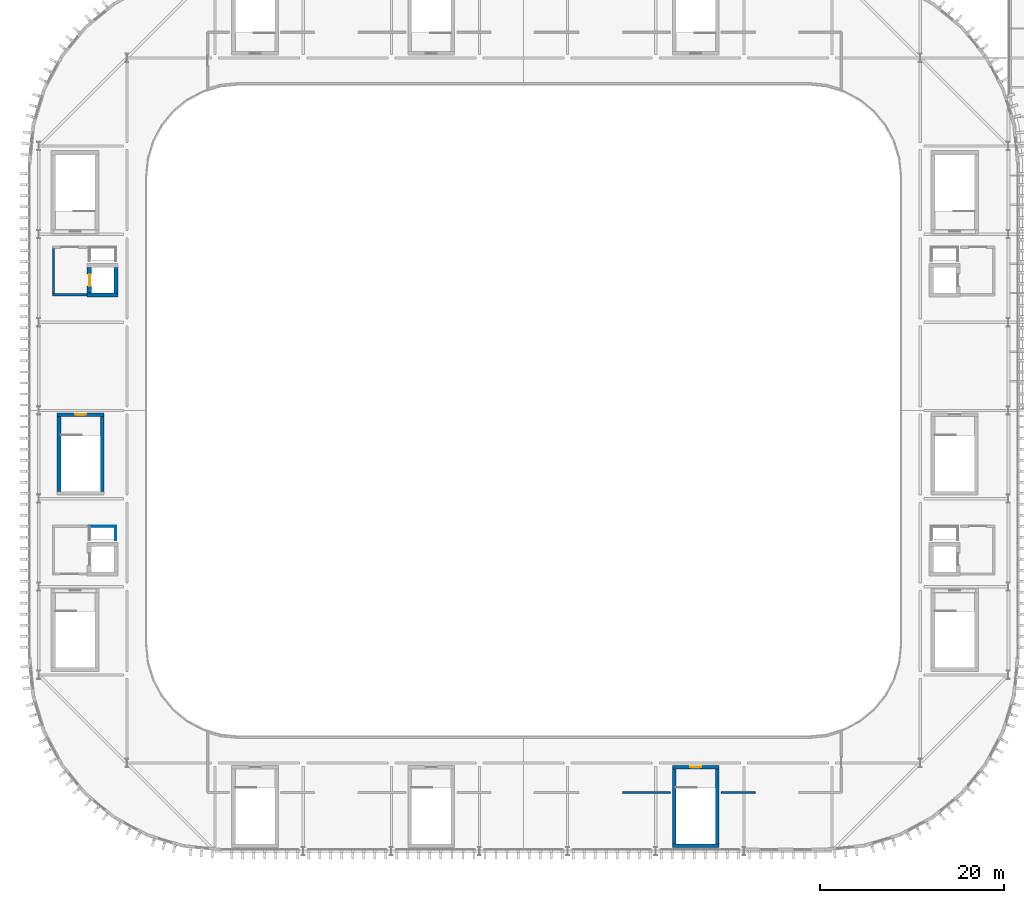
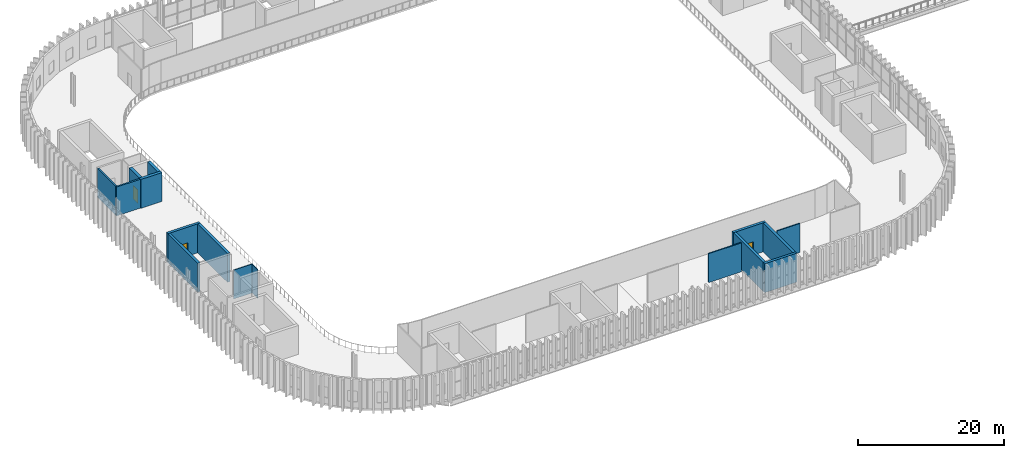
# One storey, part 31 of 45: 16 walls, 3 doors, 3 openings.
"""IFC4 building model written with IfcOpenShell, lengths in metres."""

from ifc_helpers import new_model, si_unit, direction, frame, frame_2d, origin, place, context, subcontext, project, spatial, rectangle, extrude, material, layer, layer_set, type_object, element, fill, save


model = new_model("IFC4")

# Units and contexts
model_context = context("Model", 3, precision=1e-05, world=origin(), true_north=direction((0.0, 1.0)))
body_context = subcontext(model_context, "Body", "Model", "MODEL_VIEW")
ifc_project = project(units=[si_unit("LENGTHUNIT", "METRE"), si_unit("AREAUNIT", "SQUARE_METRE"), si_unit("VOLUMEUNIT", "CUBIC_METRE"), si_unit("PLANEANGLEUNIT", "RADIAN"), si_unit("MASSUNIT", "GRAM", prefix="KILO")], contexts=[model_context])

# Site, building, storey
site_placement = place(None, origin())
site = spatial("IfcSite", under=ifc_project, at=site_placement, CompositionType="ELEMENT")
building_placement = place(site_placement, origin())
building = spatial("IfcBuilding", under=site, at=building_placement, Name="Caelomonte Colonnade Arena", CompositionType="ELEMENT")
storey_placement = place(building_placement, frame((0.0, 0.0, 23.10009765625)))
storey = spatial("IfcBuildingStorey", under=building, at=storey_placement, Name="L05", CompositionType="ELEMENT", Elevation=23.10009765625)

# Walls
ifc_material_1 = material(Name="Concrete C40/50", Category="concrete")
ifc_layer_1 = layer(ifc_material_1, 0.260009765625)
ifc_layer_set_1 = layer_set([ifc_layer_1], Name="Concrete C40/50")
wall_type_1 = type_object("IfcWallType", Name="INT-WL-FW26", PredefinedType="SOLIDWALL", material=ifc_layer_set_1)
wall_1_placement = place(storey_placement, frame((59.070068359375, 79.800048828125, 0.0), z_axis=(0.0, 0.0, 1.0), x_axis=(1.0, 0.0, 0.0)))
element("IfcWall", 1, at=wall_1_placement, inside=storey, type_object=wall_type_1, Name="FW-C4-LB L05 south enclosure wall", PredefinedType="SOLIDWALL", context=body_context, shape_type="SweptSolid", body=[
    extrude(rectangle(XDim=3.760009765625, YDim=0.260009765625, at=frame_2d((1.8798828125, 0.0))), origin(), (0.0, 0.0, 1.0), 4.81982421875),
])
wall_2_placement = place(storey_placement, frame((59.199951171875, 84.8701171875, 0.0), z_axis=(0.0, 0.0, 1.0), x_axis=(0.0, -1.0, 0.0)))
element("IfcWall", 2, at=wall_2_placement, inside=storey, type_object=wall_type_1, Name="FW-C4-LB L05 west enclosure wall", PredefinedType="SOLIDWALL", context=body_context, shape_type="SweptSolid", body=[
    extrude(rectangle(XDim=4.940185546875, YDim=0.260009765625, at=frame_2d((2.47021484375, 0.0))), origin(), (0.0, 0.0, 1.0), 4.81982421875),
])
ifc_material_2 = material(Name="Service shaft lining partition")
ifc_layer_2 = layer(ifc_material_2, 0.10009765625)
ifc_layer_set_2 = layer_set([ifc_layer_2], Name="Service shaft lining partition")
wall_type_2 = type_object("IfcWallType", Name="INT-WL-PT10", PredefinedType="PARTITIONING", material=ifc_layer_set_2)
wall_3_placement = place(storey_placement, frame((66.050048828125, 54.60009765625, 0.0), z_axis=(0.0, 0.0, 1.0), x_axis=(-1.0, 0.0, 0.0)))
element("IfcWall", 3, at=wall_3_placement, inside=storey, type_object=wall_type_2, Name="FW-C1-RS L05 north enclosure wall", PredefinedType="PARTITIONING", context=body_context, shape_type="SweptSolid", body=[
    extrude(rectangle(XDim=3.0, YDim=0.10009765625, at=frame_2d((1.5, 0.0))), origin(), (0.0, 0.0, 1.0), 4.81982421875),
])
wall_4_placement = place(storey_placement, frame((66.0, 53.050048828125, 0.0), z_axis=(0.0, 0.0, 1.0), x_axis=(0.0, 1.0, 0.0)))
element("IfcWall", 4, at=wall_4_placement, inside=storey, type_object=wall_type_2, Name="FW-C1-RS L05 east enclosure wall", PredefinedType="PARTITIONING", context=body_context, shape_type="SweptSolid", body=[
    extrude(rectangle(XDim=1.5, YDim=0.10009765625, at=frame_2d((0.75, 0.0))), origin(), (0.0, 0.0, 1.0), 4.81982421875),
])
ifc_material_3 = material(Name="Acoustic gypsum stud partition")
ifc_layer_3 = layer(ifc_material_3, 0.179931640625)
ifc_layer_set_3 = layer_set([ifc_layer_3], Name="Acoustic gypsum stud partition")
wall_type_3 = type_object("IfcWallType", Name="INT-WL-PT18", PredefinedType="PARTITIONING", material=ifc_layer_set_3)
wall_5_placement = place(storey_placement, frame((135.6201171875, 25.60009765625, 0.0), z_axis=(0.0, 0.0, 1.0), x_axis=(-1.0, 0.0, 0.0)))
element("IfcWall", 5, at=wall_5_placement, inside=storey, type_object=wall_type_3, Name="L05 Broadcast Commentary Booths partition 261", PredefinedType="PARTITIONING", context=body_context, shape_type="SweptSolid", body=[
    extrude(rectangle(XDim=3.670166015625, YDim=0.179931640625, at=frame_2d((1.8349609375, 0.0))), origin(), (0.0, 0.0, 1.0), 4.81982421875),
])
wall_6_placement = place(storey_placement, frame((126.35009765625, 25.60009765625, 0.0), z_axis=(0.0, 0.0, 1.0), x_axis=(-1.0, 0.0, 0.0)))
element("IfcWall", 6, at=wall_6_placement, inside=storey, type_object=wall_type_3, Name="L05 Broadcast Commentary Booths partition 262", PredefinedType="PARTITIONING", context=body_context, shape_type="SweptSolid", body=[
    extrude(rectangle(XDim=5.170166015625, YDim=0.179931640625, at=frame_2d((2.5849609375, 0.0))), origin(), (0.0, 0.0, 1.0), 4.81982421875),
])

# Wall, opening, door
ifc_material_4 = material(Name="Concrete C50/60", Category="concrete")
ifc_layer_4 = layer(ifc_material_4, 0.39990234375)
ifc_layer_set_4 = layer_set([ifc_layer_4], Name="Concrete C50/60")
wall_type_4 = type_object("IfcWallType", Name="INT-WL-SH40", PredefinedType="SHEAR", material=ifc_layer_set_4)
wall_7_placement = place(storey_placement, frame((64.699951171875, 66.75, 0.0), z_axis=(0.0, 0.0, 1.0), x_axis=(-1.0, 0.0, 0.0)))
wall_7 = element("IfcWall", 7, at=wall_7_placement, inside=storey, type_object=wall_type_4, Name="CW-ST-09 L05 north enclosure wall", PredefinedType="SHEAR", context=body_context, shape_type="SweptSolid", body=[
    extrude(rectangle(XDim=5.099853515625, YDim=0.39990234375, at=frame_2d((2.5498046875, 0.0))), origin(), (0.0, 0.0, 1.0), 4.81982421875),
])
opening_1_placement = place(wall_7_placement, frame((3.14990234375, 0.0, 0.0), z_axis=(0.0, 0.0, 1.0), x_axis=(-1.0, 0.0, 0.0)))
opening_1 = element("IfcOpeningElement", 8, at=opening_1_placement, cuts=wall_7, Name="Opening FD-1", PredefinedType="OPENING", context=body_context, shape_type="SweptSolid", body=[
    extrude(rectangle(XDim=1.199951171875, YDim=2.199951171875, at=frame_2d((0.60009765625, 1.10009765625))), frame((0.0, 0.2099609375, 0.0), z_axis=(0.0, -1.0, 0.0), x_axis=(1.0, 0.0, 0.0)), (0.0, 0.0, 1.0), 0.419921875),
])
ifc_material_5 = material(Name="Fire-rated steel door", Category="steel")
door_type_1 = type_object("IfcDoorType", Name="INT-DR-FD90A", OperationType="NOTDEFINED", PredefinedType="DOOR", material=ifc_material_5)
door_1_placement = place(opening_1_placement, origin())
door_1 = element("IfcDoor", 9, at=door_1_placement, inside=storey, type_object=door_type_1, Name="Protected exit stair ST-09 L05 fire door", OperationType="SINGLE_SWING_RIGHT", OverallHeight=2.199951171875, OverallWidth=1.199951171875, PredefinedType="DOOR", context=body_context, shape_type="SweptSolid", body=[
    extrude(rectangle(XDim=1.199951171875, YDim=2.199951171875, at=frame_2d((0.60009765625, 1.10009765625))), frame((0.0, 0.02490234375, 0.0), z_axis=(0.0, -1.0, 0.0), x_axis=(1.0, 0.0, 0.0)), (0.0, 0.0, 1.0), 0.050048828125),
])
fill(opening_1, door_1)

# Walls
for number, where, z_axis, x_axis, name in (
    (10, (59.800048828125, 66.550048828125, 0.0), (0.0, 0.0, 1.0), (0.0, -1.0, 0.0), "CW-ST-09 L05 west enclosure wall"),
    (11, (64.5, 58.39990234375, 0.0), (0.0, 0.0, 1.0), (0.0, 1.0, 0.0), "CW-ST-09 L05 east enclosure wall"),
):
    element("IfcWall", number, at=place(storey_placement, frame(where, z_axis=z_axis, x_axis=x_axis)), inside=storey, type_object=wall_type_4, Name=name, PredefinedType="SHEAR", context=body_context, shape_type="SweptSolid", body=[
        extrude(rectangle(XDim=8.150146484375, YDim=0.39990234375, at=frame_2d((4.0751953125, 0.0))), origin(), (0.0, 0.0, 1.0), 4.81982421875),
    ])
wall_8_placement = place(storey_placement, frame((126.60009765625, 19.800048828125, 0.0), z_axis=(0.0, 0.0, 1.0), x_axis=(1.0, 0.0, 0.0)))
element("IfcWall", 12, at=wall_8_placement, inside=storey, type_object=wall_type_4, Name="CW-ST-13 L05 south enclosure wall", PredefinedType="SHEAR", context=body_context, shape_type="SweptSolid", body=[
    extrude(rectangle(XDim=5.099853515625, YDim=0.39990234375, at=frame_2d((2.5498046875, 0.0))), origin(), (0.0, 0.0, 1.0), 4.81982421875),
])

# Wall, opening, door
wall_9_placement = place(storey_placement, frame((131.699951171875, 28.35009765625, 0.0), z_axis=(0.0, 0.0, 1.0), x_axis=(-1.0, 0.0, 0.0)))
wall_9 = element("IfcWall", 13, at=wall_9_placement, inside=storey, type_object=wall_type_4, Name="CW-ST-13 L05 north enclosure wall", PredefinedType="SHEAR", context=body_context, shape_type="SweptSolid", body=[
    extrude(rectangle(XDim=5.099853515625, YDim=0.39990234375, at=frame_2d((2.5498046875, 0.0))), origin(), (0.0, 0.0, 1.0), 4.81982421875),
])
opening_2_placement = place(wall_9_placement, frame((3.14990234375, 0.0, 0.0), z_axis=(0.0, 0.0, 1.0), x_axis=(-1.0, 0.0, 0.0)))
opening_2 = element("IfcOpeningElement", 14, at=opening_2_placement, cuts=wall_9, Name="Opening FD-1", PredefinedType="OPENING", context=body_context, shape_type="SweptSolid", body=[
    extrude(rectangle(XDim=1.199951171875, YDim=2.199951171875, at=frame_2d((0.60009765625, 1.10009765625))), frame((0.0, 0.2099609375, 0.0), z_axis=(0.0, -1.0, 0.0), x_axis=(1.0, 0.0, 0.0)), (0.0, 0.0, 1.0), 0.419921875),
])
door_2_placement = place(opening_2_placement, origin())
door_2 = element("IfcDoor", 15, at=door_2_placement, inside=storey, type_object=door_type_1, Name="Protected exit stair ST-13 L05 fire door", OperationType="SINGLE_SWING_RIGHT", OverallHeight=2.199951171875, OverallWidth=1.199951171875, PredefinedType="DOOR", context=body_context, shape_type="SweptSolid", body=[
    extrude(rectangle(XDim=1.199951171875, YDim=2.199951171875, at=frame_2d((0.60009765625, 1.10009765625))), frame((0.0, 0.02490234375, 0.0), z_axis=(0.0, -1.0, 0.0), x_axis=(1.0, 0.0, 0.0)), (0.0, 0.0, 1.0), 0.050048828125),
])
fill(opening_2, door_2)

# Walls
for number, where, z_axis, x_axis, name in (
    (16, (126.800048828125, 28.14990234375, 0.0), (0.0, 0.0, 1.0), (0.0, -1.0, 0.0), "CW-ST-13 L05 west enclosure wall"),
    (17, (131.5, 20.0, 0.0), (0.0, 0.0, 1.0), (0.0, 1.0, 0.0), "CW-ST-13 L05 east enclosure wall"),
):
    element("IfcWall", number, at=place(storey_placement, frame(where, z_axis=z_axis, x_axis=x_axis)), inside=storey, type_object=wall_type_4, Name=name, PredefinedType="SHEAR", context=body_context, shape_type="SweptSolid", body=[
        extrude(rectangle(XDim=8.14990234375, YDim=0.39990234375, at=frame_2d((4.074951171875, 0.0))), origin(), (0.0, 0.0, 1.0), 4.81982421875),
    ])
ifc_layer_5 = layer(ifc_material_4, 0.449951171875)
ifc_layer_set_5 = layer_set([ifc_layer_5], Name="Concrete C50/60")
wall_type_5 = type_object("IfcWallType", Name="INT-WL-SH45", PredefinedType="SHEAR", material=ifc_layer_set_5)
wall_10_placement = place(storey_placement, frame((62.875, 79.800048828125, 0.0), z_axis=(0.0, 0.0, 1.0), x_axis=(1.0, 0.0, 0.0)))
element("IfcWall", 18, at=wall_10_placement, inside=storey, type_object=wall_type_5, Name="CW-C4-LF L05 south enclosure wall", PredefinedType="SHEAR", context=body_context, shape_type="SweptSolid", body=[
    extrude(rectangle(XDim=3.35009765625, YDim=0.449951171875, at=frame_2d((1.675048828125, 0.0))), origin(), (0.0, 0.0, 1.0), 4.81982421875),
])

# Wall, opening, door
wall_11_placement = place(storey_placement, frame((63.10009765625, 82.77490234375, 0.0), z_axis=(0.0, 0.0, 1.0), x_axis=(0.0, -1.0, 0.0)))
wall_11 = element("IfcWall", 19, at=wall_11_placement, inside=storey, type_object=wall_type_5, Name="CW-C4-LF L05 west enclosure wall", PredefinedType="SHEAR", context=body_context, shape_type="SweptSolid", body=[
    extrude(rectangle(XDim=2.75, YDim=0.449951171875, at=frame_2d((1.375, 0.0))), origin(), (0.0, 0.0, 1.0), 4.81982421875),
])
opening_3_placement = place(wall_11_placement, frame((0.72509765625, 0.0, 0.0), z_axis=(0.0, 0.0, 1.0), x_axis=(1.0, 0.0, 0.0)))
opening_3 = element("IfcOpeningElement", 20, at=opening_3_placement, cuts=wall_11, Name="Opening LD-FL-04-L05", PredefinedType="OPENING", context=body_context, shape_type="SweptSolid", body=[
    extrude(rectangle(XDim=1.300048828125, YDim=2.25, at=frame_2d((0.64990234375, 1.125))), frame((0.0, 0.23486328125, 0.0), z_axis=(0.0, -1.0, 0.0), x_axis=(1.0, 0.0, 0.0)), (0.0, 0.0, 1.0), 0.469970703125),
])
ifc_material_6 = material(Name="Firefighting lift landing door")
door_type_2 = type_object("IfcDoorType", Name="INT-DR-LD2", OperationType="SLIDING_TO_RIGHT", PredefinedType="DOOR", material=ifc_material_6)
door_3_placement = place(opening_3_placement, origin())
door_3 = element("IfcDoor", 21, at=door_3_placement, inside=storey, type_object=door_type_2, Name="Lift FL-04 L05 sliding landing door", OperationType="SLIDING_TO_RIGHT", OverallHeight=2.25, OverallWidth=1.300048828125, PredefinedType="DOOR", context=body_context, shape_type="SweptSolid", body=[
    extrude(rectangle(XDim=1.300048828125, YDim=2.25, at=frame_2d((0.64990234375, 1.125))), frame((0.0, 0.02490234375, 0.0), z_axis=(0.0, -1.0, 0.0), x_axis=(1.0, 0.0, 0.0)), (0.0, 0.0, 1.0), 0.050048828125),
])
fill(opening_3, door_3)

# Wall
wall_12_placement = place(storey_placement, frame((66.0, 80.02490234375, 0.0), z_axis=(0.0, 0.0, 1.0), x_axis=(0.0, 1.0, 0.0)))
element("IfcWall", 22, at=wall_12_placement, inside=storey, type_object=wall_type_5, Name="CW-C4-LF L05 east enclosure wall", PredefinedType="SHEAR", context=body_context, shape_type="SweptSolid", body=[
    extrude(rectangle(XDim=2.75, YDim=0.449951171875, at=frame_2d((1.375, 0.0))), origin(), (0.0, 0.0, 1.0), 4.81982421875),
])

save(model, "model.ifc")
